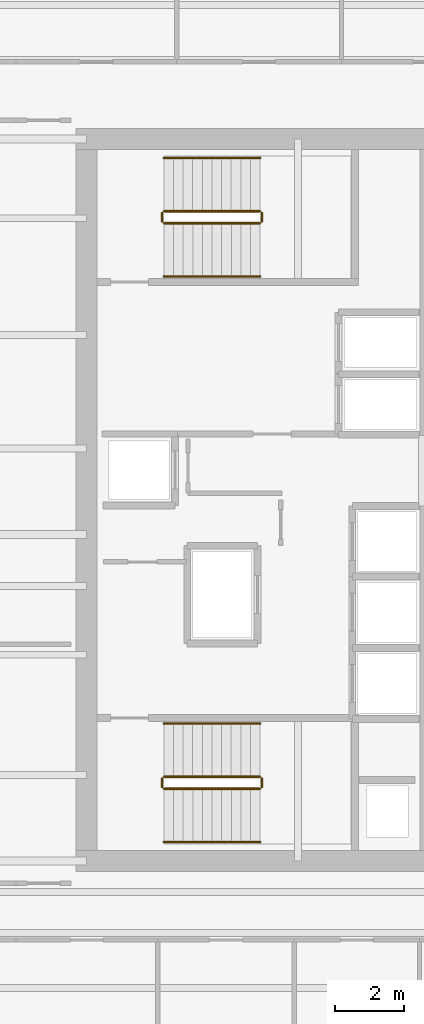
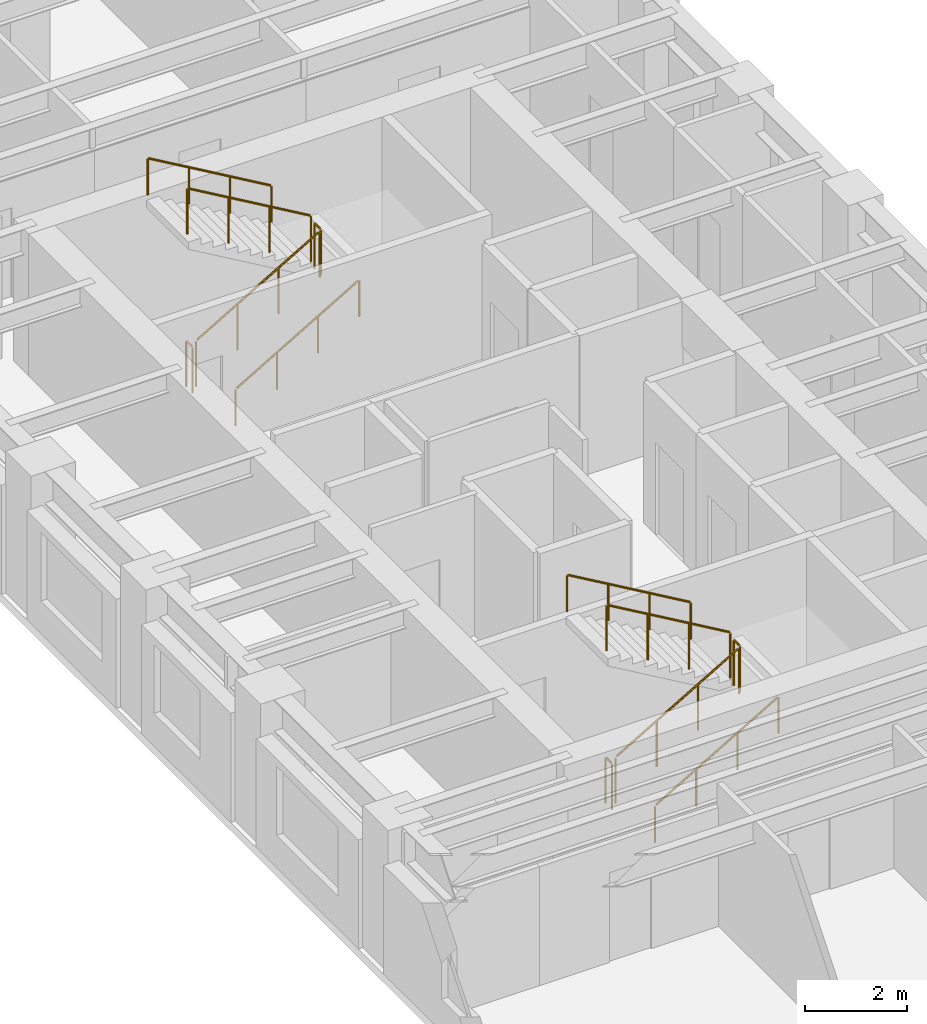
# One storey, part 12 of 13: 12 railings.
"""IFC4 building model written with IfcOpenShell, lengths in metres."""

from ifc_helpers import new_model, si_unit, direction, frame, origin, origin_2d, place, context, subcontext, project, spatial, circle, extrude, source, transform, mapped, material, layer, layer_set, type_object, element, save


model = new_model("IFC4")

# Units and contexts
model_context = context("Model", 3, precision=1e-05, world=origin(), true_north=direction((0.0, 1.0)))
body_context = subcontext(model_context, "Body", "Model", "MODEL_VIEW")
ifc_project = project(units=[si_unit("LENGTHUNIT", "METRE"), si_unit("AREAUNIT", "SQUARE_METRE"), si_unit("VOLUMEUNIT", "CUBIC_METRE"), si_unit("PLANEANGLEUNIT", "RADIAN"), si_unit("MASSUNIT", "GRAM", prefix="KILO")], contexts=[model_context])

# Site, building, storey
site_placement = place(None, origin())
site = spatial("IfcSite", under=ifc_project, at=site_placement, CompositionType="ELEMENT")
building_placement = place(site_placement, origin())
building = spatial("IfcBuilding", under=site, at=building_placement, Name="Kharzan Plaza Tower", CompositionType="ELEMENT")
storey_placement = place(building_placement, frame((0.0, 0.0, 175.5)))
storey = spatial("IfcBuildingStorey", under=building, at=storey_placement, Name="L47", CompositionType="ELEMENT", Elevation=175.5)

# Railings
ifc_material_1 = material(Name="Painted Galvanized Architectural Steel", Category="steel")
ifc_layer_1 = layer(ifc_material_1, 0.074951171875)
ifc_layer_set_1 = layer_set([ifc_layer_1], Name="Painted Galvanized Architectural Steel")
railing_type_1 = type_object("IfcRailingType", Name="RL-GUARD-1120", PredefinedType="BALUSTRADE", material=ifc_layer_set_1)
shared_shape_1 = source(origin(), body_context, "Body", "SweptSolid", [
    extrude(circle(Radius=0.02392578125, at=origin_2d()), frame((0.0, 0.0263671875, 1.09619140625), z_axis=(0.0, 1.0, 0.0), x_axis=(-1.0, 0.0, 0.0)), (0.0, 0.0, 1.0), 0.197021484375),
    extrude(circle(Radius=0.02099609375, at=origin_2d()), origin(), (0.0, 0.0, 1.0), 1.072021484375),
    extrude(circle(Radius=0.02099609375, at=origin_2d()), frame((0.0, 0.25, 0.0)), (0.0, 0.0, 1.0), 1.072021484375),
])
for number, where, name in (
    (1, (9.60009765625, 10.64990234375, 1.800048828125), "L47 ST-1 stair guard 2"),
    (2, (6.699951171875, 10.64990234375, 0.0), "L47 ST-1 stair guard 4"),
    (3, (9.60009765625, 27.10009765625, 1.800048828125), "L47 ST-2 stair guard 2"),
    (4, (6.699951171875, 27.10009765625, 0.0), "L47 ST-2 stair guard 4"),
):
    element("IfcRailing", number, at=place(storey_placement, frame(where)), inside=storey, type_object=railing_type_1, Name=name, PredefinedType="BALUSTRADE", context=body_context, shape_type="MappedRepresentation", body=[
        mapped(shared_shape_1, transform((0.0, 0.0, 0.0), x_axis=(1.0, 0.0, 0.0), y_axis=(0.0, 1.0, 0.0), z_axis=(0.0, 0.0, 1.0))),
    ])
shared_shape_2 = source(origin(), body_context, "Body", "SweptSolid", [
    extrude(circle(Radius=0.02392578125, at=origin_2d()), frame((0.02294921875, 0.0, 1.109375), z_axis=(0.863360870873, 0.0, 0.504586966384), x_axis=(0.0, 1.0, 0.0)), (0.0, 0.0, 1.0), 3.190185546875),
    extrude(circle(Radius=0.02099609375, at=origin_2d()), origin(), (0.0, 0.0, 1.0), 1.072021484375),
    extrude(circle(Radius=0.02099609375, at=origin_2d()), frame((0.933349609375, 0.0, 0.54541015625)), (0.0, 0.0, 1.0), 1.072021484375),
    extrude(circle(Radius=0.02099609375, at=origin_2d()), frame((1.86669921875, 0.0, 1.091064453125)), (0.0, 0.0, 1.0), 1.072021484375),
    extrude(circle(Radius=0.02099609375, at=origin_2d()), frame((2.800048828125, 0.0, 1.636474609375)), (0.0, 0.0, 1.0), 1.072021484375),
])
for number, where, name in (
    (5, (6.75, 10.60009765625, 0.16357421875), "L47 ST-1 stair guard 1"),
    (6, (6.75, 27.050048828125, 0.16357421875), "L47 ST-2 stair guard 1"),
):
    element("IfcRailing", number, at=place(storey_placement, frame(where)), inside=storey, type_object=railing_type_1, Name=name, PredefinedType="BALUSTRADE", context=body_context, shape_type="MappedRepresentation", body=[
        mapped(shared_shape_2, transform((0.0, 0.0, 0.0), x_axis=(1.0, 0.0, 0.0), y_axis=(0.0, 1.0, 0.0), z_axis=(0.0, 0.0, 1.0))),
    ])
shared_shape_3 = source(origin(), body_context, "Body", "SweptSolid", [
    extrude(circle(Radius=0.02392578125, at=origin_2d()), frame((-0.02294921875, 0.0, 1.109375), z_axis=(-0.863360870873, 0.0, 0.504586966384), x_axis=(0.0, -1.0, 0.0)), (0.0, 0.0, 1.0), 3.190185546875),
    extrude(circle(Radius=0.02099609375, at=origin_2d()), origin(), (0.0, 0.0, 1.0), 1.072021484375),
    extrude(circle(Radius=0.02099609375, at=origin_2d()), frame((-0.933349609375, 0.0, 0.54541015625)), (0.0, 0.0, 1.0), 1.072021484375),
    extrude(circle(Radius=0.02099609375, at=origin_2d()), frame((-1.86669921875, 0.0, 1.091064453125)), (0.0, 0.0, 1.0), 1.072021484375),
    extrude(circle(Radius=0.02099609375, at=origin_2d()), frame((-2.800048828125, 0.0, 1.636474609375)), (0.0, 0.0, 1.0), 1.072021484375),
])
for number, where, name in (
    (7, (9.550048828125, 10.949951171875, 1.963623046875), "L47 ST-1 stair guard 3"),
    (8, (9.550048828125, 27.39990234375, 1.963623046875), "L47 ST-2 stair guard 3"),
):
    element("IfcRailing", number, at=place(storey_placement, frame(where)), inside=storey, type_object=railing_type_1, Name=name, PredefinedType="BALUSTRADE", context=body_context, shape_type="MappedRepresentation", body=[
        mapped(shared_shape_3, transform((0.0, 0.0, 0.0), x_axis=(1.0, 0.0, 0.0), y_axis=(0.0, 1.0, 0.0), z_axis=(0.0, 0.0, 1.0))),
    ])
ifc_material_2 = material(Name="Brushed Stainless Steel", Category="steel")
ifc_layer_2 = layer(ifc_material_2, 0.050048828125)
ifc_layer_set_2 = layer_set([ifc_layer_2], Name="Brushed Stainless Steel")
railing_type_2 = type_object("IfcRailingType", Name="RL-STAIR-HR920", PredefinedType="HANDRAIL", material=ifc_layer_set_2)
shared_shape_4 = source(origin(), body_context, "Body", "SweptSolid", [
    extrude(circle(Radius=0.02392578125, at=origin_2d()), frame((0.02294921875, 0.0, 0.88916015625), z_axis=(0.863360870873, 0.0, 0.504586966384), x_axis=(0.0, 1.0, 0.0)), (0.0, 0.0, 1.0), 3.190185546875),
    extrude(circle(Radius=0.02099609375, at=origin_2d()), origin(), (0.0, 0.0, 1.0), 0.851806640625),
    extrude(circle(Radius=0.02099609375, at=origin_2d()), frame((0.933349609375, 0.0, 0.54541015625)), (0.0, 0.0, 1.0), 0.851806640625),
    extrude(circle(Radius=0.02099609375, at=origin_2d()), frame((1.86669921875, 0.0, 1.091064453125)), (0.0, 0.0, 1.0), 0.851806640625),
    extrude(circle(Radius=0.02099609375, at=origin_2d()), frame((2.800048828125, 0.0, 1.636474609375)), (0.0, 0.0, 1.0), 0.851806640625),
])
for number, where, name in (
    (9, (6.75, 9.050048828125, 0.16357421875), "L47 ST-1 stair handrail 1"),
    (10, (6.75, 25.5, 0.16357421875), "L47 ST-2 stair handrail 1"),
):
    element("IfcRailing", number, at=place(storey_placement, frame(where)), inside=storey, type_object=railing_type_2, Name=name, PredefinedType="HANDRAIL", context=body_context, shape_type="MappedRepresentation", body=[
        mapped(shared_shape_4, transform((0.0, 0.0, 0.0), x_axis=(1.0, 0.0, 0.0), y_axis=(0.0, 1.0, 0.0), z_axis=(0.0, 0.0, 1.0))),
    ])
shared_shape_5 = source(origin(), body_context, "Body", "SweptSolid", [
    extrude(circle(Radius=0.02392578125, at=origin_2d()), frame((-0.02294921875, 0.0, 0.88916015625), z_axis=(-0.863360870873, 0.0, 0.504586966384), x_axis=(0.0, -1.0, 0.0)), (0.0, 0.0, 1.0), 3.190185546875),
    extrude(circle(Radius=0.02099609375, at=origin_2d()), origin(), (0.0, 0.0, 1.0), 0.851806640625),
    extrude(circle(Radius=0.02099609375, at=origin_2d()), frame((-0.933349609375, 0.0, 0.54541015625)), (0.0, 0.0, 1.0), 0.851806640625),
    extrude(circle(Radius=0.02099609375, at=origin_2d()), frame((-1.86669921875, 0.0, 1.091064453125)), (0.0, 0.0, 1.0), 0.851806640625),
    extrude(circle(Radius=0.02099609375, at=origin_2d()), frame((-2.800048828125, 0.0, 1.636474609375)), (0.0, 0.0, 1.0), 0.851806640625),
])
for number, where, name in (
    (11, (9.550048828125, 12.5, 1.963623046875), "L47 ST-1 stair handrail 2"),
    (12, (9.550048828125, 28.949951171875, 1.963623046875), "L47 ST-2 stair handrail 2"),
):
    element("IfcRailing", number, at=place(storey_placement, frame(where)), inside=storey, type_object=railing_type_2, Name=name, PredefinedType="HANDRAIL", context=body_context, shape_type="MappedRepresentation", body=[
        mapped(shared_shape_5, transform((0.0, 0.0, 0.0), x_axis=(1.0, 0.0, 0.0), y_axis=(0.0, 1.0, 0.0), z_axis=(0.0, 0.0, 1.0))),
    ])

save(model, "model.ifc")
